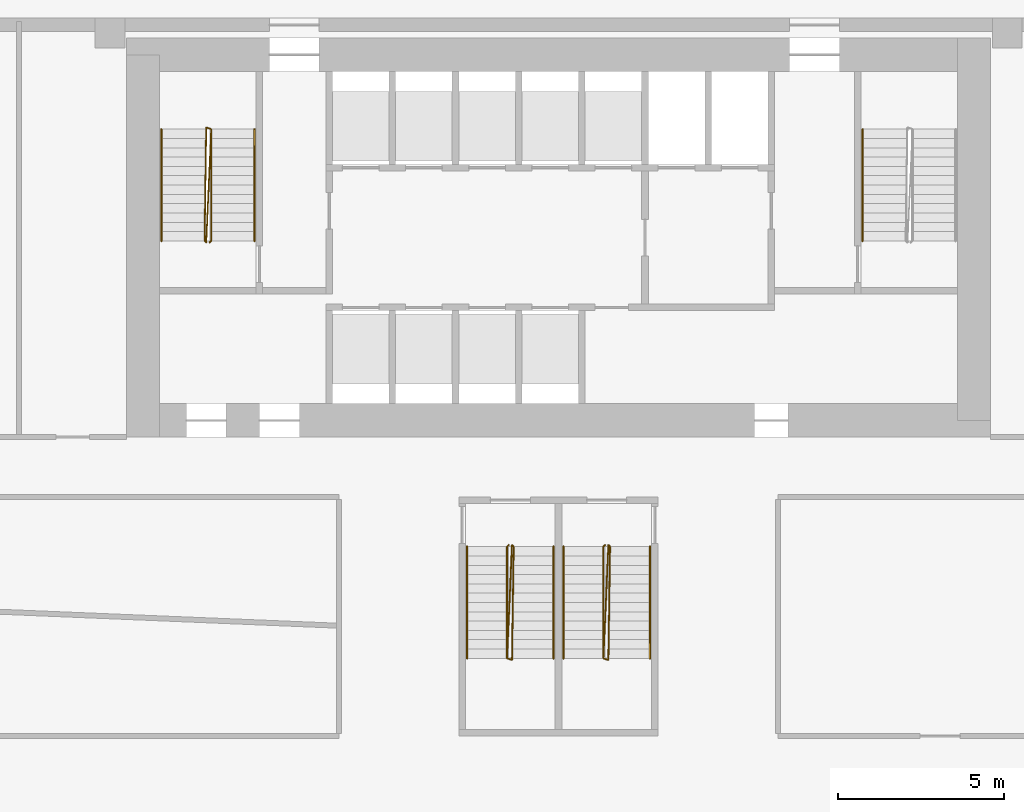
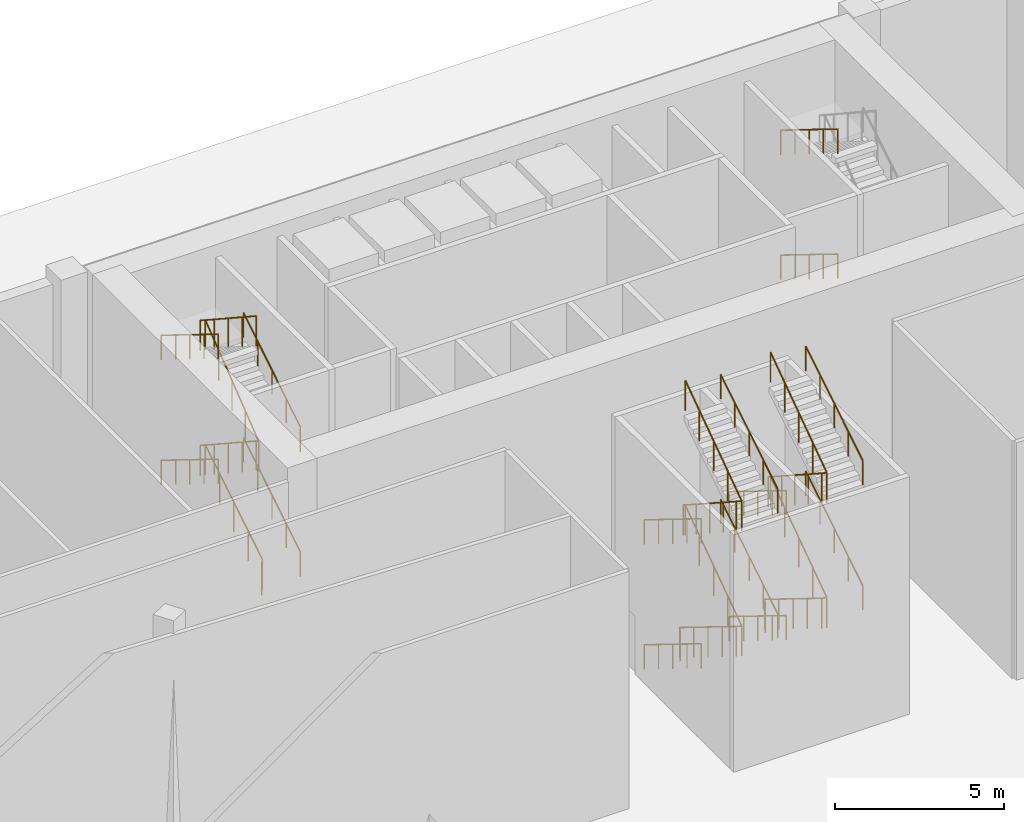
# One storey, part 19 of 21: 17 railings.
"""IFC4 building model written with IfcOpenShell, lengths in metres."""

from ifc_helpers import new_model, si_unit, direction, frame, origin, origin_2d, place, context, subcontext, project, spatial, circle, extrude, material, type_object, element, save


model = new_model("IFC4")

# Units and contexts
model_context = context("Model", 3, precision=1e-05, world=origin(), true_north=direction((0.0, 1.0)))
body_context = subcontext(model_context, "Body", "Model", "MODEL_VIEW")
ifc_project = project(units=[si_unit("LENGTHUNIT", "METRE"), si_unit("AREAUNIT", "SQUARE_METRE"), si_unit("VOLUMEUNIT", "CUBIC_METRE"), si_unit("PLANEANGLEUNIT", "RADIAN"), si_unit("MASSUNIT", "GRAM", prefix="KILO")], contexts=[model_context])

# Site, building, storey
site_placement = place(None, origin())
site = spatial("IfcSite", under=ifc_project, at=site_placement, CompositionType="ELEMENT")
building_placement = place(site_placement, origin())
building = spatial("IfcBuilding", under=site, at=building_placement, Name="Altiplano Prism Tower", CompositionType="ELEMENT")
storey_placement = place(building_placement, origin())
storey = spatial("IfcBuildingStorey", under=building, at=storey_placement, Name="L00", CompositionType="ELEMENT", Elevation=0.0)

# Railings
ifc_material = material(Name="Steel S355", Category="steel")
railing_type_1 = type_object("IfcRailingType", Name="Stair guard 1100", PredefinedType="GUARDRAIL", material=ifc_material)
railing_1_placement = place(storey_placement, frame((74.5, 98.25, 0.0)))
element("IfcRailing", 1, at=railing_1_placement, inside=storey, type_object=railing_type_1, Name="L00 ST1 stair guard 1", PredefinedType="GUARDRAIL", context=body_context, shape_type="SweptSolid", body=[
    extrude(circle(Radius=0.02392578125, at=origin_2d()), frame((0.0, 0.0, 1.076171875), z_axis=(0.267629722418, 0.267629722418, 0.925607186314), x_axis=(-0.707106781187, 0.707106781187, 0.0)), (0.0, 0.0, 1.0), 0.18701171875),
    extrude(circle(Radius=0.02392578125, at=origin_2d()), frame((0.050048828125, 0.050048828125, 1.2490234375), z_axis=(0.0, 0.850606129759, 0.525803396734), x_axis=(-1.0, 0.0, 0.0)), (0.0, 0.0, 1.0), 3.949951171875),
    extrude(circle(Radius=0.02392578125, at=origin_2d()), frame((0.050048828125, 3.409912109375, 3.326171875), z_axis=(-0.948683298051, 0.316227766017, 0.0), x_axis=(-0.316227766017, -0.948683298051, 0.0)), (0.0, 0.0, 1.0), 0.158203125),
    extrude(circle(Radius=0.02392578125, at=origin_2d()), frame((-0.10009765625, 3.4599609375, 3.326171875), z_axis=(-0.0121901703, -0.834608375372, 0.55070887001), x_axis=(0.999893351539, -0.01460429897, 0.0)), (0.0, 0.0, 1.0), 4.085693359375),
    extrude(circle(Radius=0.02392578125, at=origin_2d()), frame((-0.14990234375, 0.050048828125, 5.576171875), z_axis=(0.705375805398, -0.708833529934, 0.0), x_axis=(0.708833529934, 0.705375805398, 0.0)), (0.0, 0.0, 1.0), 0.070556640625),
    extrude(circle(Radius=0.02392578125, at=origin_2d()), frame((-0.10009765625, 0.0, 5.576171875), z_axis=(0.036727712375, 0.834107249997, 0.550378206914), x_axis=(-0.99903198295, 0.043989737919, 0.0)), (0.0, 0.0, 1.0), 4.088134765625),
    extrude(circle(Radius=0.02392578125, at=origin_2d()), frame((0.050048828125, 3.409912109375, 7.826171875), z_axis=(-0.948683298051, 0.316227766017, 0.0), x_axis=(-0.316227766017, -0.948683298051, 0.0)), (0.0, 0.0, 1.0), 0.158203125),
    extrude(circle(Radius=0.02392578125, at=origin_2d()), frame((-0.10009765625, 3.4599609375, 7.826171875), z_axis=(-0.0121901703, -0.834608375372, 0.55070887001), x_axis=(0.999893351539, -0.01460429897, 0.0)), (0.0, 0.0, 1.0), 4.085693359375),
    extrude(circle(Radius=0.02099609375, at=origin_2d()), origin(), (0.0, 0.0, 1.0), 1.052001953125),
    extrude(circle(Radius=0.02099609375, at=origin_2d()), frame((0.050048828125, 0.050048828125, 0.173095703125)), (0.0, 0.0, 1.0), 1.052001953125),
    extrude(circle(Radius=0.02099609375, at=origin_2d()), frame((0.050048828125, 0.89013671875, 0.6923828125)), (0.0, 0.0, 1.0), 1.052001953125),
    extrude(circle(Radius=0.02099609375, at=origin_2d()), frame((0.050048828125, 1.72998046875, 1.21142578125)), (0.0, 0.0, 1.0), 1.052001953125),
    extrude(circle(Radius=0.02099609375, at=origin_2d()), frame((0.050048828125, 2.56982421875, 1.730712890625)), (0.0, 0.0, 1.0), 1.052001953125),
    extrude(circle(Radius=0.02099609375, at=origin_2d()), frame((0.050048828125, 3.409912109375, 2.25)), (0.0, 0.0, 1.0), 1.052001953125),
    extrude(circle(Radius=0.02099609375, at=origin_2d()), frame((-0.10009765625, 3.4599609375, 2.25)), (0.0, 0.0, 1.0), 1.052001953125),
    extrude(circle(Radius=0.02099609375, at=origin_2d()), frame((-0.112548828125, 2.607421875, 2.8125)), (0.0, 0.0, 1.0), 1.052001953125),
    extrude(circle(Radius=0.02099609375, at=origin_2d()), frame((-0.125, 1.7548828125, 3.375)), (0.0, 0.0, 1.0), 1.052001953125),
    extrude(circle(Radius=0.02099609375, at=origin_2d()), frame((-0.137451171875, 0.902587890625, 3.9375)), (0.0, 0.0, 1.0), 1.052001953125),
    extrude(circle(Radius=0.02099609375, at=origin_2d()), frame((-0.14990234375, 0.050048828125, 4.5)), (0.0, 0.0, 1.0), 1.052001953125),
    extrude(circle(Radius=0.02099609375, at=origin_2d()), frame((-0.10009765625, 0.0, 4.5)), (0.0, 0.0, 1.0), 1.052001953125),
    extrude(circle(Radius=0.02099609375, at=origin_2d()), frame((-0.0625, 0.8525390625, 5.0625)), (0.0, 0.0, 1.0), 1.052001953125),
    extrude(circle(Radius=0.02099609375, at=origin_2d()), frame((-0.02490234375, 1.705078125, 5.625)), (0.0, 0.0, 1.0), 1.052001953125),
    extrude(circle(Radius=0.02099609375, at=origin_2d()), frame((0.012451171875, 2.557373046875, 6.1875)), (0.0, 0.0, 1.0), 1.052001953125),
    extrude(circle(Radius=0.02099609375, at=origin_2d()), frame((0.050048828125, 3.409912109375, 6.75)), (0.0, 0.0, 1.0), 1.052001953125),
    extrude(circle(Radius=0.02099609375, at=origin_2d()), frame((-0.10009765625, 3.4599609375, 6.75)), (0.0, 0.0, 1.0), 1.052001953125),
    extrude(circle(Radius=0.02099609375, at=origin_2d()), frame((-0.112548828125, 2.607421875, 7.3125)), (0.0, 0.0, 1.0), 1.052001953125),
    extrude(circle(Radius=0.02099609375, at=origin_2d()), frame((-0.125, 1.7548828125, 7.875)), (0.0, 0.0, 1.0), 1.052001953125),
    extrude(circle(Radius=0.02099609375, at=origin_2d()), frame((-0.137451171875, 0.902587890625, 8.4375)), (0.0, 0.0, 1.0), 1.052001953125),
    extrude(circle(Radius=0.02099609375, at=origin_2d()), frame((-0.14990234375, 0.050048828125, 9.0)), (0.0, 0.0, 1.0), 1.052001953125),
])
railing_2_placement = place(storey_placement, frame((83.5, 89.14990234375, 0.0)))
element("IfcRailing", 2, at=railing_2_placement, inside=storey, type_object=railing_type_1, Name="L00 ST3A stair guard 1", PredefinedType="GUARDRAIL", context=body_context, shape_type="SweptSolid", body=[
    extrude(circle(Radius=0.02392578125, at=origin_2d()), frame((0.0, 0.0, 1.076171875), z_axis=(-0.267723051232, -0.266417085129, 0.925929967433), x_axis=(0.705375805398, -0.708833529934, 0.0)), (0.0, 0.0, 1.0), 0.18701171875),
    extrude(circle(Radius=0.02392578125, at=origin_2d()), frame((-0.050048828125, -0.0498046875, 1.2490234375), z_axis=(0.0, -0.850623216509, 0.525775754039), x_axis=(1.0, 0.0, 0.0)), (0.0, 0.0, 1.0), 3.9501953125),
    extrude(circle(Radius=0.02392578125, at=origin_2d()), frame((-0.050048828125, -3.409912109375, 3.326171875), z_axis=(0.948683298051, -0.316227766017, 0.0), x_axis=(0.316227766017, 0.948683298051, 0.0)), (0.0, 0.0, 1.0), 0.158203125),
    extrude(circle(Radius=0.02392578125, at=origin_2d()), frame((0.10009765625, -3.4599609375, 3.326171875), z_axis=(0.012189562367, 0.83462650563, 0.550681405777), x_axis=(-0.999893366806, 0.014603253639, 0.0)), (0.0, 0.0, 1.0), 4.0859375),
    extrude(circle(Radius=0.02392578125, at=origin_2d()), frame((0.14990234375, -0.0498046875, 5.576171875), z_axis=(-0.707106781187, 0.707106781187, 0.0), x_axis=(-0.707106781187, -0.707106781187, 0.0)), (0.0, 0.0, 1.0), 0.0703125),
    extrude(circle(Radius=0.02392578125, at=origin_2d()), frame((0.10009765625, 0.0, 5.576171875), z_axis=(-0.036727712375, -0.834107249997, 0.550378206914), x_axis=(0.99903198295, -0.043989737919, 0.0)), (0.0, 0.0, 1.0), 4.088134765625),
    extrude(circle(Radius=0.02392578125, at=origin_2d()), frame((-0.050048828125, -3.409912109375, 7.826171875), z_axis=(0.948683298051, -0.316227766017, 0.0), x_axis=(0.316227766017, 0.948683298051, 0.0)), (0.0, 0.0, 1.0), 0.158203125),
    extrude(circle(Radius=0.02392578125, at=origin_2d()), frame((0.10009765625, -3.4599609375, 7.826171875), z_axis=(0.012189562367, 0.83462650563, 0.550681405777), x_axis=(-0.999893366806, 0.014603253639, 0.0)), (0.0, 0.0, 1.0), 4.0859375),
    extrude(circle(Radius=0.02099609375, at=origin_2d()), origin(), (0.0, 0.0, 1.0), 1.052001953125),
    extrude(circle(Radius=0.02099609375, at=origin_2d()), frame((-0.050048828125, -0.0498046875, 0.173095703125)), (0.0, 0.0, 1.0), 1.052001953125),
    extrude(circle(Radius=0.02099609375, at=origin_2d()), frame((-0.050048828125, -0.889892578125, 0.6923828125)), (0.0, 0.0, 1.0), 1.052001953125),
    extrude(circle(Radius=0.02099609375, at=origin_2d()), frame((-0.050048828125, -1.72998046875, 1.21142578125)), (0.0, 0.0, 1.0), 1.052001953125),
    extrude(circle(Radius=0.02099609375, at=origin_2d()), frame((-0.050048828125, -2.56982421875, 1.730712890625)), (0.0, 0.0, 1.0), 1.052001953125),
    extrude(circle(Radius=0.02099609375, at=origin_2d()), frame((-0.050048828125, -3.409912109375, 2.25)), (0.0, 0.0, 1.0), 1.052001953125),
    extrude(circle(Radius=0.02099609375, at=origin_2d()), frame((0.10009765625, -3.4599609375, 2.25)), (0.0, 0.0, 1.0), 1.052001953125),
    extrude(circle(Radius=0.02099609375, at=origin_2d()), frame((0.112548828125, -2.607421875, 2.8125)), (0.0, 0.0, 1.0), 1.052001953125),
    extrude(circle(Radius=0.02099609375, at=origin_2d()), frame((0.125, -1.7548828125, 3.375)), (0.0, 0.0, 1.0), 1.052001953125),
    extrude(circle(Radius=0.02099609375, at=origin_2d()), frame((0.137451171875, -0.90234375, 3.9375)), (0.0, 0.0, 1.0), 1.052001953125),
    extrude(circle(Radius=0.02099609375, at=origin_2d()), frame((0.14990234375, -0.0498046875, 4.5)), (0.0, 0.0, 1.0), 1.052001953125),
    extrude(circle(Radius=0.02099609375, at=origin_2d()), frame((0.10009765625, 0.0, 4.5)), (0.0, 0.0, 1.0), 1.052001953125),
    extrude(circle(Radius=0.02099609375, at=origin_2d()), frame((0.0625, -0.8525390625, 5.0625)), (0.0, 0.0, 1.0), 1.052001953125),
    extrude(circle(Radius=0.02099609375, at=origin_2d()), frame((0.02490234375, -1.705078125, 5.625)), (0.0, 0.0, 1.0), 1.052001953125),
    extrude(circle(Radius=0.02099609375, at=origin_2d()), frame((-0.012451171875, -2.557373046875, 6.1875)), (0.0, 0.0, 1.0), 1.052001953125),
    extrude(circle(Radius=0.02099609375, at=origin_2d()), frame((-0.050048828125, -3.409912109375, 6.75)), (0.0, 0.0, 1.0), 1.052001953125),
    extrude(circle(Radius=0.02099609375, at=origin_2d()), frame((0.10009765625, -3.4599609375, 6.75)), (0.0, 0.0, 1.0), 1.052001953125),
    extrude(circle(Radius=0.02099609375, at=origin_2d()), frame((0.112548828125, -2.607421875, 7.3125)), (0.0, 0.0, 1.0), 1.052001953125),
    extrude(circle(Radius=0.02099609375, at=origin_2d()), frame((0.125, -1.7548828125, 7.875)), (0.0, 0.0, 1.0), 1.052001953125),
    extrude(circle(Radius=0.02099609375, at=origin_2d()), frame((0.137451171875, -0.90234375, 8.4375)), (0.0, 0.0, 1.0), 1.052001953125),
    extrude(circle(Radius=0.02099609375, at=origin_2d()), frame((0.14990234375, -0.0498046875, 9.0)), (0.0, 0.0, 1.0), 1.052001953125),
])
railing_3_placement = place(storey_placement, frame((86.39990234375, 89.14990234375, 0.0)))
element("IfcRailing", 3, at=railing_3_placement, inside=storey, type_object=railing_type_1, Name="L00 ST3B stair guard 1", PredefinedType="GUARDRAIL", context=body_context, shape_type="SweptSolid", body=[
    extrude(circle(Radius=0.02392578125, at=origin_2d()), frame((0.0, 0.0, 1.076171875), z_axis=(-0.26651005591, -0.26651005591, 0.926253086471), x_axis=(0.707106781187, -0.707106781187, 0.0)), (0.0, 0.0, 1.0), 0.186767578125),
    extrude(circle(Radius=0.02392578125, at=origin_2d()), frame((-0.0498046875, -0.0498046875, 1.2490234375), z_axis=(0.0, -0.850623216509, 0.525775754039), x_axis=(1.0, 0.0, 0.0)), (0.0, 0.0, 1.0), 3.9501953125),
    extrude(circle(Radius=0.02392578125, at=origin_2d()), frame((-0.0498046875, -3.409912109375, 3.326171875), z_axis=(0.948528701346, -0.316691178788, 0.0), x_axis=(0.316691178788, 0.948528701346, 0.0)), (0.0, 0.0, 1.0), 0.157958984375),
    extrude(circle(Radius=0.02392578125, at=origin_2d()), frame((0.10009765625, -3.4599609375, 3.326171875), z_axis=(0.01224930618, 0.834625896233, 0.5506810037), x_axis=(-0.99989231899, 0.014674822837, 0.0)), (0.0, 0.0, 1.0), 4.0859375),
    extrude(circle(Radius=0.02392578125, at=origin_2d()), frame((0.150146484375, -0.0498046875, 5.576171875), z_axis=(-0.708833529934, 0.705375805398, 0.0), x_axis=(-0.705375805398, -0.708833529934, 0.0)), (0.0, 0.0, 1.0), 0.070556640625),
    extrude(circle(Radius=0.02392578125, at=origin_2d()), frame((0.10009765625, 0.0, 5.576171875), z_axis=(-0.036668072879, -0.834109078025, 0.550379413122), x_axis=(0.999035123863, -0.043918347967, 0.0)), (0.0, 0.0, 1.0), 4.088134765625),
    extrude(circle(Radius=0.02392578125, at=origin_2d()), frame((-0.0498046875, -3.409912109375, 7.826171875), z_axis=(0.948528701346, -0.316691178788, 0.0), x_axis=(0.316691178788, 0.948528701346, 0.0)), (0.0, 0.0, 1.0), 0.157958984375),
    extrude(circle(Radius=0.02392578125, at=origin_2d()), frame((0.10009765625, -3.4599609375, 7.826171875), z_axis=(0.01224930618, 0.834625896233, 0.5506810037), x_axis=(-0.99989231899, 0.014674822837, 0.0)), (0.0, 0.0, 1.0), 4.0859375),
    extrude(circle(Radius=0.02099609375, at=origin_2d()), origin(), (0.0, 0.0, 1.0), 1.052001953125),
    extrude(circle(Radius=0.02099609375, at=origin_2d()), frame((-0.0498046875, -0.0498046875, 0.173095703125)), (0.0, 0.0, 1.0), 1.052001953125),
    extrude(circle(Radius=0.02099609375, at=origin_2d()), frame((-0.0498046875, -0.889892578125, 0.6923828125)), (0.0, 0.0, 1.0), 1.052001953125),
    extrude(circle(Radius=0.02099609375, at=origin_2d()), frame((-0.0498046875, -1.72998046875, 1.21142578125)), (0.0, 0.0, 1.0), 1.052001953125),
    extrude(circle(Radius=0.02099609375, at=origin_2d()), frame((-0.0498046875, -2.56982421875, 1.730712890625)), (0.0, 0.0, 1.0), 1.052001953125),
    extrude(circle(Radius=0.02099609375, at=origin_2d()), frame((-0.0498046875, -3.409912109375, 2.25)), (0.0, 0.0, 1.0), 1.052001953125),
    extrude(circle(Radius=0.02099609375, at=origin_2d()), frame((0.10009765625, -3.4599609375, 2.25)), (0.0, 0.0, 1.0), 1.052001953125),
    extrude(circle(Radius=0.02099609375, at=origin_2d()), frame((0.112548828125, -2.607421875, 2.8125)), (0.0, 0.0, 1.0), 1.052001953125),
    extrude(circle(Radius=0.02099609375, at=origin_2d()), frame((0.125, -1.7548828125, 3.375)), (0.0, 0.0, 1.0), 1.052001953125),
    extrude(circle(Radius=0.02099609375, at=origin_2d()), frame((0.1376953125, -0.90234375, 3.9375)), (0.0, 0.0, 1.0), 1.052001953125),
    extrude(circle(Radius=0.02099609375, at=origin_2d()), frame((0.150146484375, -0.0498046875, 4.5)), (0.0, 0.0, 1.0), 1.052001953125),
    extrude(circle(Radius=0.02099609375, at=origin_2d()), frame((0.10009765625, 0.0, 4.5)), (0.0, 0.0, 1.0), 1.052001953125),
    extrude(circle(Radius=0.02099609375, at=origin_2d()), frame((0.0625, -0.8525390625, 5.0625)), (0.0, 0.0, 1.0), 1.052001953125),
    extrude(circle(Radius=0.02099609375, at=origin_2d()), frame((0.025146484375, -1.705078125, 5.625)), (0.0, 0.0, 1.0), 1.052001953125),
    extrude(circle(Radius=0.02099609375, at=origin_2d()), frame((-0.01220703125, -2.557373046875, 6.1875)), (0.0, 0.0, 1.0), 1.052001953125),
    extrude(circle(Radius=0.02099609375, at=origin_2d()), frame((-0.0498046875, -3.409912109375, 6.75)), (0.0, 0.0, 1.0), 1.052001953125),
    extrude(circle(Radius=0.02099609375, at=origin_2d()), frame((0.10009765625, -3.4599609375, 6.75)), (0.0, 0.0, 1.0), 1.052001953125),
    extrude(circle(Radius=0.02099609375, at=origin_2d()), frame((0.112548828125, -2.607421875, 7.3125)), (0.0, 0.0, 1.0), 1.052001953125),
    extrude(circle(Radius=0.02099609375, at=origin_2d()), frame((0.125, -1.7548828125, 7.875)), (0.0, 0.0, 1.0), 1.052001953125),
    extrude(circle(Radius=0.02099609375, at=origin_2d()), frame((0.1376953125, -0.90234375, 8.4375)), (0.0, 0.0, 1.0), 1.052001953125),
    extrude(circle(Radius=0.02099609375, at=origin_2d()), frame((0.150146484375, -0.0498046875, 9.0)), (0.0, 0.0, 1.0), 1.052001953125),
])
railing_type_2 = type_object("IfcRailingType", Name="Stair handrail 900", PredefinedType="HANDRAIL", material=ifc_material)
railing_4_placement = place(storey_placement, frame((75.85009765625, 98.300048828125, 0.173095703125)))
element("IfcRailing", 4, at=railing_4_placement, inside=storey, type_object=railing_type_2, Name="L00 ST1 stair handrail 1", PredefinedType="HANDRAIL", context=body_context, shape_type="SweptSolid", body=[
    extrude(circle(Radius=0.02392578125, at=origin_2d()), frame((0.0, 0.0, 0.8759765625), z_axis=(0.0, 0.850606129759, 0.525803396734), x_axis=(-1.0, 0.0, 0.0)), (0.0, 0.0, 1.0), 3.949951171875),
    extrude(circle(Radius=0.02099609375, at=origin_2d()), origin(), (0.0, 0.0, 1.0), 0.851806640625),
    extrude(circle(Radius=0.02099609375, at=origin_2d()), frame((0.0, 0.83984375, 0.519287109375)), (0.0, 0.0, 1.0), 0.851806640625),
    extrude(circle(Radius=0.02099609375, at=origin_2d()), frame((0.0, 1.679931640625, 1.03857421875)), (0.0, 0.0, 1.0), 0.851806640625),
    extrude(circle(Radius=0.02099609375, at=origin_2d()), frame((0.0, 2.52001953125, 1.5576171875)), (0.0, 0.0, 1.0), 0.851806640625),
    extrude(circle(Radius=0.02099609375, at=origin_2d()), frame((0.0, 3.35986328125, 2.076904296875)), (0.0, 0.0, 1.0), 0.851806640625),
])
railing_5_placement = place(storey_placement, frame((73.050048828125, 101.659912109375, 2.423095703125)))
element("IfcRailing", 5, at=railing_5_placement, inside=storey, type_object=railing_type_2, Name="L00 ST1 stair handrail 2", PredefinedType="HANDRAIL", context=body_context, shape_type="SweptSolid", body=[
    extrude(circle(Radius=0.02392578125, at=origin_2d()), frame((0.0, 0.0, 0.8759765625), z_axis=(0.0, -0.850606129759, 0.525803396734), x_axis=(1.0, 0.0, 0.0)), (0.0, 0.0, 1.0), 3.949951171875),
    extrude(circle(Radius=0.02099609375, at=origin_2d()), origin(), (0.0, 0.0, 1.0), 0.851806640625),
    extrude(circle(Radius=0.02099609375, at=origin_2d()), frame((0.0, -0.83984375, 0.519287109375)), (0.0, 0.0, 1.0), 0.851806640625),
    extrude(circle(Radius=0.02099609375, at=origin_2d()), frame((0.0, -1.679931640625, 1.03857421875)), (0.0, 0.0, 1.0), 0.851806640625),
    extrude(circle(Radius=0.02099609375, at=origin_2d()), frame((0.0, -2.52001953125, 1.5576171875)), (0.0, 0.0, 1.0), 0.851806640625),
    extrude(circle(Radius=0.02099609375, at=origin_2d()), frame((0.0, -3.35986328125, 2.076904296875)), (0.0, 0.0, 1.0), 0.851806640625),
])
railing_6_placement = place(storey_placement, frame((75.85009765625, 98.300048828125, 4.673095703125)))
element("IfcRailing", 6, at=railing_6_placement, inside=storey, type_object=railing_type_2, Name="L00 ST1 stair handrail 3", PredefinedType="HANDRAIL", context=body_context, shape_type="SweptSolid", body=[
    extrude(circle(Radius=0.02392578125, at=origin_2d()), frame((0.0, 0.0, 0.8759765625), z_axis=(0.0, 0.850606129759, 0.525803396734), x_axis=(-1.0, 0.0, 0.0)), (0.0, 0.0, 1.0), 3.949951171875),
    extrude(circle(Radius=0.02099609375, at=origin_2d()), origin(), (0.0, 0.0, 1.0), 0.851806640625),
    extrude(circle(Radius=0.02099609375, at=origin_2d()), frame((0.0, 0.83984375, 0.519287109375)), (0.0, 0.0, 1.0), 0.851806640625),
    extrude(circle(Radius=0.02099609375, at=origin_2d()), frame((0.0, 1.679931640625, 1.03857421875)), (0.0, 0.0, 1.0), 0.851806640625),
    extrude(circle(Radius=0.02099609375, at=origin_2d()), frame((0.0, 2.52001953125, 1.5576171875)), (0.0, 0.0, 1.0), 0.851806640625),
    extrude(circle(Radius=0.02099609375, at=origin_2d()), frame((0.0, 3.35986328125, 2.076904296875)), (0.0, 0.0, 1.0), 0.851806640625),
])
for number, where, name in (
    (7, (73.050048828125, 101.659912109375, 6.923095703125), "L00 ST1 stair handrail 4"),
    (8, (94.14990234375, 101.659912109375, 2.423095703125), "L00 ST2 stair handrail 2"),
    (9, (94.14990234375, 101.659912109375, 6.923095703125), "L00 ST2 stair handrail 4"),
):
    element("IfcRailing", number, at=place(storey_placement, frame(where)), inside=storey, type_object=railing_type_2, Name=name, PredefinedType="HANDRAIL", context=body_context, shape_type="SweptSolid", body=[
        extrude(circle(Radius=0.02392578125, at=origin_2d()), frame((0.0, 0.0, 0.8759765625), z_axis=(0.0, -0.850606129759, 0.525803396734), x_axis=(1.0, 0.0, 0.0)), (0.0, 0.0, 1.0), 3.949951171875),
        extrude(circle(Radius=0.02099609375, at=origin_2d()), origin(), (0.0, 0.0, 1.0), 0.851806640625),
        extrude(circle(Radius=0.02099609375, at=origin_2d()), frame((0.0, -0.83984375, 0.519287109375)), (0.0, 0.0, 1.0), 0.851806640625),
        extrude(circle(Radius=0.02099609375, at=origin_2d()), frame((0.0, -1.679931640625, 1.03857421875)), (0.0, 0.0, 1.0), 0.851806640625),
        extrude(circle(Radius=0.02099609375, at=origin_2d()), frame((0.0, -2.52001953125, 1.5576171875)), (0.0, 0.0, 1.0), 0.851806640625),
        extrude(circle(Radius=0.02099609375, at=origin_2d()), frame((0.0, -3.35986328125, 2.076904296875)), (0.0, 0.0, 1.0), 0.851806640625),
    ])
railing_7_placement = place(storey_placement, frame((82.25, 89.10009765625, 0.173095703125)))
element("IfcRailing", 10, at=railing_7_placement, inside=storey, type_object=railing_type_2, Name="L00 ST3A stair handrail 1", PredefinedType="HANDRAIL", context=body_context, shape_type="SweptSolid", body=[
    extrude(circle(Radius=0.02392578125, at=origin_2d()), frame((0.0, 0.0, 0.8759765625), z_axis=(0.0, -0.850623216509, 0.525775754039), x_axis=(1.0, 0.0, 0.0)), (0.0, 0.0, 1.0), 3.9501953125),
    extrude(circle(Radius=0.02099609375, at=origin_2d()), origin(), (0.0, 0.0, 1.0), 0.851806640625),
    extrude(circle(Radius=0.02099609375, at=origin_2d()), frame((0.0, -0.840087890625, 0.519287109375)), (0.0, 0.0, 1.0), 0.851806640625),
    extrude(circle(Radius=0.02099609375, at=origin_2d()), frame((0.0, -1.68017578125, 1.03857421875)), (0.0, 0.0, 1.0), 0.851806640625),
    extrude(circle(Radius=0.02099609375, at=origin_2d()), frame((0.0, -2.52001953125, 1.5576171875)), (0.0, 0.0, 1.0), 0.851806640625),
    extrude(circle(Radius=0.02099609375, at=origin_2d()), frame((0.0, -3.360107421875, 2.076904296875)), (0.0, 0.0, 1.0), 0.851806640625),
])
railing_8_placement = place(storey_placement, frame((84.85009765625, 85.739990234375, 2.423095703125)))
element("IfcRailing", 11, at=railing_8_placement, inside=storey, type_object=railing_type_2, Name="L00 ST3A stair handrail 2", PredefinedType="HANDRAIL", context=body_context, shape_type="SweptSolid", body=[
    extrude(circle(Radius=0.02392578125, at=origin_2d()), frame((0.0, 0.0, 0.8759765625), z_axis=(0.0, 0.850623216509, 0.525775754039), x_axis=(-1.0, 0.0, 0.0)), (0.0, 0.0, 1.0), 3.9501953125),
    extrude(circle(Radius=0.02099609375, at=origin_2d()), origin(), (0.0, 0.0, 1.0), 0.851806640625),
    extrude(circle(Radius=0.02099609375, at=origin_2d()), frame((0.0, 0.840087890625, 0.519287109375)), (0.0, 0.0, 1.0), 0.851806640625),
    extrude(circle(Radius=0.02099609375, at=origin_2d()), frame((0.0, 1.68017578125, 1.03857421875)), (0.0, 0.0, 1.0), 0.851806640625),
    extrude(circle(Radius=0.02099609375, at=origin_2d()), frame((0.0, 2.52001953125, 1.5576171875)), (0.0, 0.0, 1.0), 0.851806640625),
    extrude(circle(Radius=0.02099609375, at=origin_2d()), frame((0.0, 3.360107421875, 2.076904296875)), (0.0, 0.0, 1.0), 0.851806640625),
])
railing_9_placement = place(storey_placement, frame((82.25, 89.10009765625, 4.673095703125)))
element("IfcRailing", 12, at=railing_9_placement, inside=storey, type_object=railing_type_2, Name="L00 ST3A stair handrail 3", PredefinedType="HANDRAIL", context=body_context, shape_type="SweptSolid", body=[
    extrude(circle(Radius=0.02392578125, at=origin_2d()), frame((0.0, 0.0, 0.8759765625), z_axis=(0.0, -0.850623216509, 0.525775754039), x_axis=(1.0, 0.0, 0.0)), (0.0, 0.0, 1.0), 3.9501953125),
    extrude(circle(Radius=0.02099609375, at=origin_2d()), origin(), (0.0, 0.0, 1.0), 0.851806640625),
    extrude(circle(Radius=0.02099609375, at=origin_2d()), frame((0.0, -0.840087890625, 0.519287109375)), (0.0, 0.0, 1.0), 0.851806640625),
    extrude(circle(Radius=0.02099609375, at=origin_2d()), frame((0.0, -1.68017578125, 1.03857421875)), (0.0, 0.0, 1.0), 0.851806640625),
    extrude(circle(Radius=0.02099609375, at=origin_2d()), frame((0.0, -2.52001953125, 1.5576171875)), (0.0, 0.0, 1.0), 0.851806640625),
    extrude(circle(Radius=0.02099609375, at=origin_2d()), frame((0.0, -3.360107421875, 2.076904296875)), (0.0, 0.0, 1.0), 0.851806640625),
])
railing_10_placement = place(storey_placement, frame((84.85009765625, 85.739990234375, 6.923095703125)))
element("IfcRailing", 13, at=railing_10_placement, inside=storey, type_object=railing_type_2, Name="L00 ST3A stair handrail 4", PredefinedType="HANDRAIL", context=body_context, shape_type="SweptSolid", body=[
    extrude(circle(Radius=0.02392578125, at=origin_2d()), frame((0.0, 0.0, 0.8759765625), z_axis=(0.0, 0.850623216509, 0.525775754039), x_axis=(-1.0, 0.0, 0.0)), (0.0, 0.0, 1.0), 3.9501953125),
    extrude(circle(Radius=0.02099609375, at=origin_2d()), origin(), (0.0, 0.0, 1.0), 0.851806640625),
    extrude(circle(Radius=0.02099609375, at=origin_2d()), frame((0.0, 0.840087890625, 0.519287109375)), (0.0, 0.0, 1.0), 0.851806640625),
    extrude(circle(Radius=0.02099609375, at=origin_2d()), frame((0.0, 1.68017578125, 1.03857421875)), (0.0, 0.0, 1.0), 0.851806640625),
    extrude(circle(Radius=0.02099609375, at=origin_2d()), frame((0.0, 2.52001953125, 1.5576171875)), (0.0, 0.0, 1.0), 0.851806640625),
    extrude(circle(Radius=0.02099609375, at=origin_2d()), frame((0.0, 3.360107421875, 2.076904296875)), (0.0, 0.0, 1.0), 0.851806640625),
])
railing_11_placement = place(storey_placement, frame((85.14990234375, 89.10009765625, 0.173095703125)))
element("IfcRailing", 14, at=railing_11_placement, inside=storey, type_object=railing_type_2, Name="L00 ST3B stair handrail 1", PredefinedType="HANDRAIL", context=body_context, shape_type="SweptSolid", body=[
    extrude(circle(Radius=0.02392578125, at=origin_2d()), frame((0.0, 0.0, 0.8759765625), z_axis=(0.0, -0.850623216509, 0.525775754039), x_axis=(1.0, 0.0, 0.0)), (0.0, 0.0, 1.0), 3.9501953125),
    extrude(circle(Radius=0.02099609375, at=origin_2d()), origin(), (0.0, 0.0, 1.0), 0.851806640625),
    extrude(circle(Radius=0.02099609375, at=origin_2d()), frame((0.0, -0.840087890625, 0.519287109375)), (0.0, 0.0, 1.0), 0.851806640625),
    extrude(circle(Radius=0.02099609375, at=origin_2d()), frame((0.0, -1.68017578125, 1.03857421875)), (0.0, 0.0, 1.0), 0.851806640625),
    extrude(circle(Radius=0.02099609375, at=origin_2d()), frame((0.0, -2.52001953125, 1.5576171875)), (0.0, 0.0, 1.0), 0.851806640625),
    extrude(circle(Radius=0.02099609375, at=origin_2d()), frame((0.0, -3.360107421875, 2.076904296875)), (0.0, 0.0, 1.0), 0.851806640625),
])
railing_12_placement = place(storey_placement, frame((87.75, 85.739990234375, 2.423095703125)))
element("IfcRailing", 15, at=railing_12_placement, inside=storey, type_object=railing_type_2, Name="L00 ST3B stair handrail 2", PredefinedType="HANDRAIL", context=body_context, shape_type="SweptSolid", body=[
    extrude(circle(Radius=0.02392578125, at=origin_2d()), frame((0.0, 0.0, 0.8759765625), z_axis=(0.0, 0.850623216509, 0.525775754039), x_axis=(-1.0, 0.0, 0.0)), (0.0, 0.0, 1.0), 3.9501953125),
    extrude(circle(Radius=0.02099609375, at=origin_2d()), origin(), (0.0, 0.0, 1.0), 0.851806640625),
    extrude(circle(Radius=0.02099609375, at=origin_2d()), frame((0.0, 0.840087890625, 0.519287109375)), (0.0, 0.0, 1.0), 0.851806640625),
    extrude(circle(Radius=0.02099609375, at=origin_2d()), frame((0.0, 1.68017578125, 1.03857421875)), (0.0, 0.0, 1.0), 0.851806640625),
    extrude(circle(Radius=0.02099609375, at=origin_2d()), frame((0.0, 2.52001953125, 1.5576171875)), (0.0, 0.0, 1.0), 0.851806640625),
    extrude(circle(Radius=0.02099609375, at=origin_2d()), frame((0.0, 3.360107421875, 2.076904296875)), (0.0, 0.0, 1.0), 0.851806640625),
])
railing_13_placement = place(storey_placement, frame((85.14990234375, 89.10009765625, 4.673095703125)))
element("IfcRailing", 16, at=railing_13_placement, inside=storey, type_object=railing_type_2, Name="L00 ST3B stair handrail 3", PredefinedType="HANDRAIL", context=body_context, shape_type="SweptSolid", body=[
    extrude(circle(Radius=0.02392578125, at=origin_2d()), frame((0.0, 0.0, 0.8759765625), z_axis=(0.0, -0.850623216509, 0.525775754039), x_axis=(1.0, 0.0, 0.0)), (0.0, 0.0, 1.0), 3.9501953125),
    extrude(circle(Radius=0.02099609375, at=origin_2d()), origin(), (0.0, 0.0, 1.0), 0.851806640625),
    extrude(circle(Radius=0.02099609375, at=origin_2d()), frame((0.0, -0.840087890625, 0.519287109375)), (0.0, 0.0, 1.0), 0.851806640625),
    extrude(circle(Radius=0.02099609375, at=origin_2d()), frame((0.0, -1.68017578125, 1.03857421875)), (0.0, 0.0, 1.0), 0.851806640625),
    extrude(circle(Radius=0.02099609375, at=origin_2d()), frame((0.0, -2.52001953125, 1.5576171875)), (0.0, 0.0, 1.0), 0.851806640625),
    extrude(circle(Radius=0.02099609375, at=origin_2d()), frame((0.0, -3.360107421875, 2.076904296875)), (0.0, 0.0, 1.0), 0.851806640625),
])
railing_14_placement = place(storey_placement, frame((87.75, 85.739990234375, 6.923095703125)))
element("IfcRailing", 17, at=railing_14_placement, inside=storey, type_object=railing_type_2, Name="L00 ST3B stair handrail 4", PredefinedType="HANDRAIL", context=body_context, shape_type="SweptSolid", body=[
    extrude(circle(Radius=0.02392578125, at=origin_2d()), frame((0.0, 0.0, 0.8759765625), z_axis=(0.0, 0.850623216509, 0.525775754039), x_axis=(-1.0, 0.0, 0.0)), (0.0, 0.0, 1.0), 3.9501953125),
    extrude(circle(Radius=0.02099609375, at=origin_2d()), origin(), (0.0, 0.0, 1.0), 0.851806640625),
    extrude(circle(Radius=0.02099609375, at=origin_2d()), frame((0.0, 0.840087890625, 0.519287109375)), (0.0, 0.0, 1.0), 0.851806640625),
    extrude(circle(Radius=0.02099609375, at=origin_2d()), frame((0.0, 1.68017578125, 1.03857421875)), (0.0, 0.0, 1.0), 0.851806640625),
    extrude(circle(Radius=0.02099609375, at=origin_2d()), frame((0.0, 2.52001953125, 1.5576171875)), (0.0, 0.0, 1.0), 0.851806640625),
    extrude(circle(Radius=0.02099609375, at=origin_2d()), frame((0.0, 3.360107421875, 2.076904296875)), (0.0, 0.0, 1.0), 0.851806640625),
])

save(model, "model.ifc")
